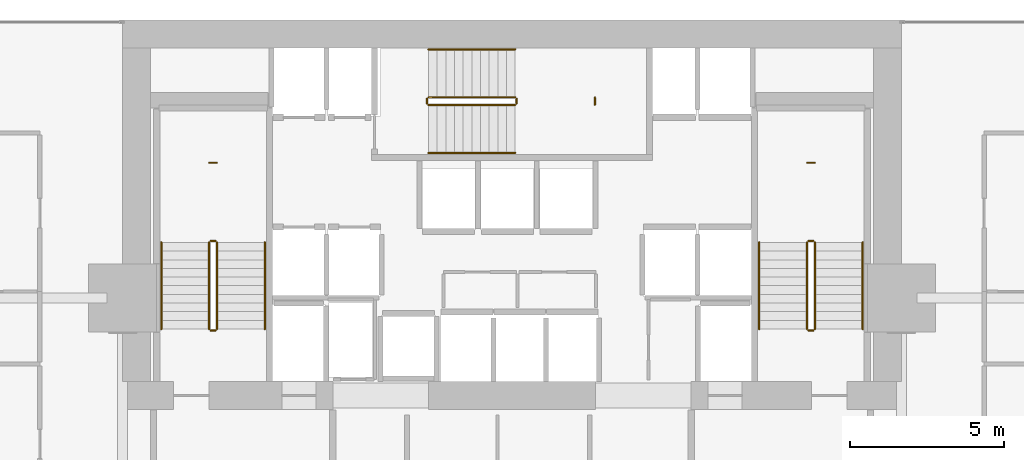
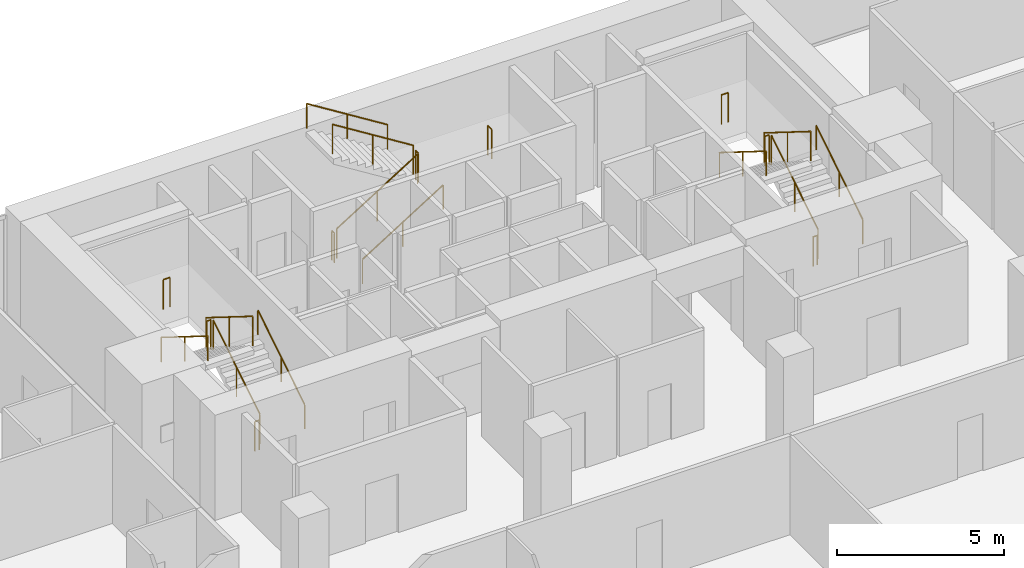
# One storey, part 40 of 40: 21 railings.
"""IFC4 building model written with IfcOpenShell, lengths in metres."""

from ifc_helpers import new_model, si_unit, direction, frame, origin, origin_2d, place, context, subcontext, project, spatial, circle, extrude, material, type_object, element, save


model = new_model("IFC4")

# Units and contexts
model_context = context("Model", 3, precision=1e-05, world=origin(), true_north=direction((0.0, 1.0)))
body_context = subcontext(model_context, "Body", "Model", "MODEL_VIEW")
ifc_project = project(units=[si_unit("LENGTHUNIT", "METRE"), si_unit("AREAUNIT", "SQUARE_METRE"), si_unit("VOLUMEUNIT", "CUBIC_METRE"), si_unit("PLANEANGLEUNIT", "RADIAN"), si_unit("MASSUNIT", "GRAM", prefix="KILO")], contexts=[model_context])

# Site, building, storey
site_placement = place(None, origin())
site = spatial("IfcSite", under=ifc_project, at=site_placement, CompositionType="ELEMENT")
building_placement = place(site_placement, origin())
building = spatial("IfcBuilding", under=site, at=building_placement, Name="Maruvema Waterfront Hotel and Observation Tower", CompositionType="ELEMENT")
storey_placement = place(building_placement, frame((0.0, 0.0, 50.050048828125)))
storey = spatial("IfcBuildingStorey", under=building, at=storey_placement, Name="L11", CompositionType="ELEMENT", Elevation=50.050048828125)

# Railings
ifc_material_1 = material(Name="Brushed stainless steel Grade 316", Category="steel")
railing_type_1 = type_object("IfcRailingType", Name="Ramp Continuous Wall Handrail 920 mm", PredefinedType="HANDRAIL", material=ifc_material_1)
railing_1_placement = place(storey_placement, frame((29.800048828125, 44.0, 0.175048828125)))
element("IfcRailing", 1, at=railing_1_placement, inside=storey, type_object=railing_type_1, Name="L11 ST-01 stair handrail 1", PredefinedType="HANDRAIL", context=body_context, shape_type="SweptSolid", body=[
    extrude(circle(Radius=0.02392578125, at=origin_2d()), frame((0.0, 0.0, 0.89599609375), z_axis=(0.0, 0.848002457836, 0.529992293815), x_axis=(-1.0, 0.0, 0.0)), (0.0, 0.0, 1.0), 3.302001953125),
    extrude(circle(Radius=0.02099609375, at=origin_2d()), origin(), (0.0, 0.0, 1.0), 0.871826171875),
    extrude(circle(Radius=0.02099609375, at=origin_2d()), frame((0.0, 1.39990234375, 0.875)), (0.0, 0.0, 1.0), 0.871826171875),
    extrude(circle(Radius=0.02099609375, at=origin_2d()), frame((0.0, 2.800048828125, 1.75)), (0.0, 0.0, 1.0), 0.871826171875),
])
railing_2_placement = place(storey_placement, frame((26.449951171875, 46.800048828125, 2.099853515625)))
element("IfcRailing", 2, at=railing_2_placement, inside=storey, type_object=railing_type_1, Name="L11 ST-01 stair handrail 2", PredefinedType="HANDRAIL", context=body_context, shape_type="SweptSolid", body=[
    extrude(circle(Radius=0.02392578125, at=origin_2d()), frame((0.0, 0.0, 0.89599609375), z_axis=(0.0, -0.848002457836, 0.529992293815), x_axis=(1.0, 0.0, 0.0)), (0.0, 0.0, 1.0), 3.302001953125),
    extrude(circle(Radius=0.02099609375, at=origin_2d()), origin(), (0.0, 0.0, 1.0), 0.871826171875),
    extrude(circle(Radius=0.02099609375, at=origin_2d()), frame((0.0, -1.39990234375, 0.875)), (0.0, 0.0, 1.0), 0.871826171875),
    extrude(circle(Radius=0.02099609375, at=origin_2d()), frame((0.0, -2.800048828125, 1.75)), (0.0, 0.0, 1.0), 0.871826171875),
])
railing_3_placement = place(storey_placement, frame((35.10009765625, 49.699951171875, 0.175048828125)))
element("IfcRailing", 3, at=railing_3_placement, inside=storey, type_object=railing_type_1, Name="L11 ST-02 stair handrail 1", PredefinedType="HANDRAIL", context=body_context, shape_type="SweptSolid", body=[
    extrude(circle(Radius=0.02392578125, at=origin_2d()), frame((0.0, 0.0, 0.89599609375), z_axis=(0.847981687118, 0.0, 0.530025526095), x_axis=(0.0, 1.0, 0.0)), (0.0, 0.0, 1.0), 3.3017578125),
    extrude(circle(Radius=0.02099609375, at=origin_2d()), origin(), (0.0, 0.0, 1.0), 0.871826171875),
    extrude(circle(Radius=0.02099609375, at=origin_2d()), frame((1.39990234375, 0.0, 0.875)), (0.0, 0.0, 1.0), 0.871826171875),
    extrude(circle(Radius=0.02099609375, at=origin_2d()), frame((2.7998046875, 0.0, 1.75)), (0.0, 0.0, 1.0), 0.871826171875),
])
railing_4_placement = place(storey_placement, frame((37.89990234375, 53.050048828125, 2.099853515625)))
element("IfcRailing", 4, at=railing_4_placement, inside=storey, type_object=railing_type_1, Name="L11 ST-02 stair handrail 2", PredefinedType="HANDRAIL", context=body_context, shape_type="SweptSolid", body=[
    extrude(circle(Radius=0.02392578125, at=origin_2d()), frame((0.0, 0.0, 0.89599609375), z_axis=(-0.847981687118, 0.0, 0.530025526095), x_axis=(0.0, -1.0, 0.0)), (0.0, 0.0, 1.0), 3.3017578125),
    extrude(circle(Radius=0.02099609375, at=origin_2d()), origin(), (0.0, 0.0, 1.0), 0.871826171875),
    extrude(circle(Radius=0.02099609375, at=origin_2d()), frame((-1.39990234375, 0.0, 0.875)), (0.0, 0.0, 1.0), 0.871826171875),
    extrude(circle(Radius=0.02099609375, at=origin_2d()), frame((-2.7998046875, 0.0, 1.75)), (0.0, 0.0, 1.0), 0.871826171875),
])
railing_5_placement = place(storey_placement, frame((49.14990234375, 44.0, 0.175048828125)))
element("IfcRailing", 5, at=railing_5_placement, inside=storey, type_object=railing_type_1, Name="L11 ST-03 stair handrail 1", PredefinedType="HANDRAIL", context=body_context, shape_type="SweptSolid", body=[
    extrude(circle(Radius=0.02392578125, at=origin_2d()), frame((0.0, 0.0, 0.89599609375), z_axis=(0.0, 0.848002457836, 0.529992293815), x_axis=(-1.0, 0.0, 0.0)), (0.0, 0.0, 1.0), 3.302001953125),
    extrude(circle(Radius=0.02099609375, at=origin_2d()), origin(), (0.0, 0.0, 1.0), 0.871826171875),
    extrude(circle(Radius=0.02099609375, at=origin_2d()), frame((0.0, 1.39990234375, 0.875)), (0.0, 0.0, 1.0), 0.871826171875),
    extrude(circle(Radius=0.02099609375, at=origin_2d()), frame((0.0, 2.800048828125, 1.75)), (0.0, 0.0, 1.0), 0.871826171875),
])
railing_6_placement = place(storey_placement, frame((45.800048828125, 46.800048828125, 2.099853515625)))
element("IfcRailing", 6, at=railing_6_placement, inside=storey, type_object=railing_type_1, Name="L11 ST-03 stair handrail 2", PredefinedType="HANDRAIL", context=body_context, shape_type="SweptSolid", body=[
    extrude(circle(Radius=0.02392578125, at=origin_2d()), frame((0.0, 0.0, 0.89599609375), z_axis=(0.0, -0.848002457836, 0.529992293815), x_axis=(1.0, 0.0, 0.0)), (0.0, 0.0, 1.0), 3.302001953125),
    extrude(circle(Radius=0.02099609375, at=origin_2d()), origin(), (0.0, 0.0, 1.0), 0.871826171875),
    extrude(circle(Radius=0.02099609375, at=origin_2d()), frame((0.0, -1.39990234375, 0.875)), (0.0, 0.0, 1.0), 0.871826171875),
    extrude(circle(Radius=0.02099609375, at=origin_2d()), frame((0.0, -2.800048828125, 1.75)), (0.0, 0.0, 1.0), 0.871826171875),
])
ifc_material_2 = material(Name="Brushed stainless steel Grade 316", Category="steel")
railing_type_2 = type_object("IfcRailingType", Name="Ramp and Terrace Guard Balustrade 1100 mm", PredefinedType="BALUSTRADE", material=ifc_material_2)
railing_7_placement = place(storey_placement, frame((28.25, 44.0, 0.175048828125)))
element("IfcRailing", 7, at=railing_7_placement, inside=storey, type_object=railing_type_2, Name="L11 ST-01 stair guard 1", PredefinedType="BALUSTRADE", context=body_context, shape_type="SweptSolid", body=[
    extrude(circle(Radius=0.02392578125, at=origin_2d()), frame((0.0, 0.0, 1.076171875), z_axis=(0.0, 0.848002457836, 0.529992293815), x_axis=(-1.0, 0.0, 0.0)), (0.0, 0.0, 1.0), 3.302001953125),
    extrude(circle(Radius=0.02099609375, at=origin_2d()), origin(), (0.0, 0.0, 1.0), 1.052001953125),
    extrude(circle(Radius=0.02099609375, at=origin_2d()), frame((0.0, 1.39990234375, 0.875)), (0.0, 0.0, 1.0), 1.052001953125),
    extrude(circle(Radius=0.02099609375, at=origin_2d()), frame((0.0, 2.800048828125, 1.75)), (0.0, 0.0, 1.0), 1.052001953125),
])
railing_8_placement = place(storey_placement, frame((28.199951171875, 46.85009765625, 1.925048828125)))
element("IfcRailing", 8, at=railing_8_placement, inside=storey, type_object=railing_type_2, Name="L11 ST-01 stair guard 2", PredefinedType="BALUSTRADE", context=body_context, shape_type="SweptSolid", body=[
    extrude(circle(Radius=0.02392578125, at=origin_2d()), frame((0.0, 0.0, 1.076171875), z_axis=(-1.0, 0.0, 0.0), x_axis=(0.0, -1.0, 0.0)), (0.0, 0.0, 1.0), 0.14990234375),
    extrude(circle(Radius=0.02099609375, at=origin_2d()), origin(), (0.0, 0.0, 1.0), 1.052001953125),
    extrude(circle(Radius=0.02099609375, at=origin_2d()), frame((-0.14990234375, 0.0, 0.0)), (0.0, 0.0, 1.0), 1.052001953125),
])
railing_9_placement = place(storey_placement, frame((28.0, 46.800048828125, 2.099853515625)))
element("IfcRailing", 9, at=railing_9_placement, inside=storey, type_object=railing_type_2, Name="L11 ST-01 stair guard 3", PredefinedType="BALUSTRADE", context=body_context, shape_type="SweptSolid", body=[
    extrude(circle(Radius=0.02392578125, at=origin_2d()), frame((0.0, 0.0, 1.076171875), z_axis=(0.0, -0.848002457836, 0.529992293815), x_axis=(1.0, 0.0, 0.0)), (0.0, 0.0, 1.0), 3.302001953125),
    extrude(circle(Radius=0.02099609375, at=origin_2d()), origin(), (0.0, 0.0, 1.0), 1.052001953125),
    extrude(circle(Radius=0.02099609375, at=origin_2d()), frame((0.0, -1.39990234375, 0.875)), (0.0, 0.0, 1.0), 1.052001953125),
    extrude(circle(Radius=0.02099609375, at=origin_2d()), frame((0.0, -2.800048828125, 1.75)), (0.0, 0.0, 1.0), 1.052001953125),
])
railing_10_placement = place(storey_placement, frame((28.199951171875, 43.949951171875, 0.0)))
element("IfcRailing", 10, at=railing_10_placement, inside=storey, type_object=railing_type_2, Name="L11 ST-01 stair guard 4", PredefinedType="BALUSTRADE", context=body_context, shape_type="SweptSolid", body=[
    extrude(circle(Radius=0.02392578125, at=origin_2d()), frame((0.0, 0.0, 1.076171875), z_axis=(-1.0, 0.0, 0.0), x_axis=(0.0, -1.0, 0.0)), (0.0, 0.0, 1.0), 0.14990234375),
    extrude(circle(Radius=0.02099609375, at=origin_2d()), origin(), (0.0, 0.0, 1.0), 1.052001953125),
    extrude(circle(Radius=0.02099609375, at=origin_2d()), frame((-0.14990234375, 0.0, 0.0)), (0.0, 0.0, 1.0), 1.052001953125),
])
railing_11_placement = place(storey_placement, frame((28.239990234375, 49.3798828125, 1.925048828125)))
element("IfcRailing", 11, at=railing_11_placement, inside=storey, type_object=railing_type_2, Name="L11 ST-01 Half-Landing Slot Guard", PredefinedType="BALUSTRADE", context=body_context, shape_type="SweptSolid", body=[
    extrude(circle(Radius=0.02392578125, at=origin_2d()), frame((0.0, 0.0, 1.076171875), z_axis=(-1.0, 0.0, 0.0), x_axis=(0.0, -1.0, 0.0)), (0.0, 0.0, 1.0), 0.22998046875),
    extrude(circle(Radius=0.02099609375, at=origin_2d()), origin(), (0.0, 0.0, 1.0), 1.052001953125),
    extrude(circle(Radius=0.02099609375, at=origin_2d()), frame((-0.22998046875, 0.0, 0.0)), (0.0, 0.0, 1.0), 1.052001953125),
])
railing_12_placement = place(storey_placement, frame((35.10009765625, 51.25, 0.175048828125)))
element("IfcRailing", 12, at=railing_12_placement, inside=storey, type_object=railing_type_2, Name="L11 ST-02 stair guard 1", PredefinedType="BALUSTRADE", context=body_context, shape_type="SweptSolid", body=[
    extrude(circle(Radius=0.02392578125, at=origin_2d()), frame((0.0, 0.0, 1.076171875), z_axis=(0.847981687118, 0.0, 0.530025526095), x_axis=(0.0, 1.0, 0.0)), (0.0, 0.0, 1.0), 3.3017578125),
    extrude(circle(Radius=0.02099609375, at=origin_2d()), origin(), (0.0, 0.0, 1.0), 1.052001953125),
    extrude(circle(Radius=0.02099609375, at=origin_2d()), frame((1.39990234375, 0.0, 0.875)), (0.0, 0.0, 1.0), 1.052001953125),
    extrude(circle(Radius=0.02099609375, at=origin_2d()), frame((2.7998046875, 0.0, 1.75)), (0.0, 0.0, 1.0), 1.052001953125),
])
railing_13_placement = place(storey_placement, frame((37.949951171875, 51.300048828125, 1.925048828125)))
element("IfcRailing", 13, at=railing_13_placement, inside=storey, type_object=railing_type_2, Name="L11 ST-02 stair guard 2", PredefinedType="BALUSTRADE", context=body_context, shape_type="SweptSolid", body=[
    extrude(circle(Radius=0.02392578125, at=origin_2d()), frame((0.0, 0.0, 1.076171875), z_axis=(0.0, 1.0, 0.0), x_axis=(-1.0, 0.0, 0.0)), (0.0, 0.0, 1.0), 0.14990234375),
    extrude(circle(Radius=0.02099609375, at=origin_2d()), origin(), (0.0, 0.0, 1.0), 1.052001953125),
    extrude(circle(Radius=0.02099609375, at=origin_2d()), frame((0.0, 0.14990234375, 0.0)), (0.0, 0.0, 1.0), 1.052001953125),
])
railing_14_placement = place(storey_placement, frame((37.89990234375, 51.5, 2.099853515625)))
element("IfcRailing", 14, at=railing_14_placement, inside=storey, type_object=railing_type_2, Name="L11 ST-02 stair guard 3", PredefinedType="BALUSTRADE", context=body_context, shape_type="SweptSolid", body=[
    extrude(circle(Radius=0.02392578125, at=origin_2d()), frame((0.0, 0.0, 1.076171875), z_axis=(-0.847981687118, 0.0, 0.530025526095), x_axis=(0.0, -1.0, 0.0)), (0.0, 0.0, 1.0), 3.3017578125),
    extrude(circle(Radius=0.02099609375, at=origin_2d()), origin(), (0.0, 0.0, 1.0), 1.052001953125),
    extrude(circle(Radius=0.02099609375, at=origin_2d()), frame((-1.39990234375, 0.0, 0.875)), (0.0, 0.0, 1.0), 1.052001953125),
    extrude(circle(Radius=0.02099609375, at=origin_2d()), frame((-2.7998046875, 0.0, 1.75)), (0.0, 0.0, 1.0), 1.052001953125),
])
railing_15_placement = place(storey_placement, frame((35.050048828125, 51.300048828125, 0.0)))
element("IfcRailing", 15, at=railing_15_placement, inside=storey, type_object=railing_type_2, Name="L11 ST-02 stair guard 4", PredefinedType="BALUSTRADE", context=body_context, shape_type="SweptSolid", body=[
    extrude(circle(Radius=0.02392578125, at=origin_2d()), frame((0.0, 0.0, 1.076171875), z_axis=(0.0, 1.0, 0.0), x_axis=(-1.0, 0.0, 0.0)), (0.0, 0.0, 1.0), 0.14990234375),
    extrude(circle(Radius=0.02099609375, at=origin_2d()), origin(), (0.0, 0.0, 1.0), 1.052001953125),
    extrude(circle(Radius=0.02099609375, at=origin_2d()), frame((0.0, 0.14990234375, 0.0)), (0.0, 0.0, 1.0), 1.052001953125),
])
railing_16_placement = place(storey_placement, frame((40.47998046875, 51.260009765625, 1.925048828125)))
element("IfcRailing", 16, at=railing_16_placement, inside=storey, type_object=railing_type_2, Name="L11 ST-02 Half-Landing Slot Guard", PredefinedType="BALUSTRADE", context=body_context, shape_type="SweptSolid", body=[
    extrude(circle(Radius=0.02392578125, at=origin_2d()), frame((0.0, 0.0, 1.076171875), z_axis=(0.0, 1.0, 0.0), x_axis=(-1.0, 0.0, 0.0)), (0.0, 0.0, 1.0), 0.22998046875),
    extrude(circle(Radius=0.02099609375, at=origin_2d()), origin(), (0.0, 0.0, 1.0), 1.052001953125),
    extrude(circle(Radius=0.02099609375, at=origin_2d()), frame((0.0, 0.22998046875, 0.0)), (0.0, 0.0, 1.0), 1.052001953125),
])
railing_17_placement = place(storey_placement, frame((47.60009765625, 44.0, 0.175048828125)))
element("IfcRailing", 17, at=railing_17_placement, inside=storey, type_object=railing_type_2, Name="L11 ST-03 stair guard 1", PredefinedType="BALUSTRADE", context=body_context, shape_type="SweptSolid", body=[
    extrude(circle(Radius=0.02392578125, at=origin_2d()), frame((0.0, 0.0, 1.076171875), z_axis=(0.0, 0.848002457836, 0.529992293815), x_axis=(-1.0, 0.0, 0.0)), (0.0, 0.0, 1.0), 3.302001953125),
    extrude(circle(Radius=0.02099609375, at=origin_2d()), origin(), (0.0, 0.0, 1.0), 1.052001953125),
    extrude(circle(Radius=0.02099609375, at=origin_2d()), frame((0.0, 1.39990234375, 0.875)), (0.0, 0.0, 1.0), 1.052001953125),
    extrude(circle(Radius=0.02099609375, at=origin_2d()), frame((0.0, 2.800048828125, 1.75)), (0.0, 0.0, 1.0), 1.052001953125),
])
railing_18_placement = place(storey_placement, frame((47.550048828125, 46.85009765625, 1.925048828125)))
element("IfcRailing", 18, at=railing_18_placement, inside=storey, type_object=railing_type_2, Name="L11 ST-03 stair guard 2", PredefinedType="BALUSTRADE", context=body_context, shape_type="SweptSolid", body=[
    extrude(circle(Radius=0.02392578125, at=origin_2d()), frame((0.0, 0.0, 1.076171875), z_axis=(-1.0, 0.0, 0.0), x_axis=(0.0, -1.0, 0.0)), (0.0, 0.0, 1.0), 0.150146484375),
    extrude(circle(Radius=0.02099609375, at=origin_2d()), origin(), (0.0, 0.0, 1.0), 1.052001953125),
    extrude(circle(Radius=0.02099609375, at=origin_2d()), frame((-0.150146484375, 0.0, 0.0)), (0.0, 0.0, 1.0), 1.052001953125),
])
railing_19_placement = place(storey_placement, frame((47.35009765625, 46.800048828125, 2.099853515625)))
element("IfcRailing", 19, at=railing_19_placement, inside=storey, type_object=railing_type_2, Name="L11 ST-03 stair guard 3", PredefinedType="BALUSTRADE", context=body_context, shape_type="SweptSolid", body=[
    extrude(circle(Radius=0.02392578125, at=origin_2d()), frame((0.0, 0.0, 1.076171875), z_axis=(0.0, -0.848002457836, 0.529992293815), x_axis=(1.0, 0.0, 0.0)), (0.0, 0.0, 1.0), 3.302001953125),
    extrude(circle(Radius=0.02099609375, at=origin_2d()), origin(), (0.0, 0.0, 1.0), 1.052001953125),
    extrude(circle(Radius=0.02099609375, at=origin_2d()), frame((0.0, -1.39990234375, 0.875)), (0.0, 0.0, 1.0), 1.052001953125),
    extrude(circle(Radius=0.02099609375, at=origin_2d()), frame((0.0, -2.800048828125, 1.75)), (0.0, 0.0, 1.0), 1.052001953125),
])
railing_20_placement = place(storey_placement, frame((47.550048828125, 43.949951171875, 0.0)))
element("IfcRailing", 20, at=railing_20_placement, inside=storey, type_object=railing_type_2, Name="L11 ST-03 stair guard 4", PredefinedType="BALUSTRADE", context=body_context, shape_type="SweptSolid", body=[
    extrude(circle(Radius=0.02392578125, at=origin_2d()), frame((0.0, 0.0, 1.076171875), z_axis=(-1.0, 0.0, 0.0), x_axis=(0.0, -1.0, 0.0)), (0.0, 0.0, 1.0), 0.150146484375),
    extrude(circle(Radius=0.02099609375, at=origin_2d()), origin(), (0.0, 0.0, 1.0), 1.052001953125),
    extrude(circle(Radius=0.02099609375, at=origin_2d()), frame((-0.150146484375, 0.0, 0.0)), (0.0, 0.0, 1.0), 1.052001953125),
])
railing_21_placement = place(storey_placement, frame((47.590087890625, 49.3798828125, 1.925048828125)))
element("IfcRailing", 21, at=railing_21_placement, inside=storey, type_object=railing_type_2, Name="L11 ST-03 Half-Landing Slot Guard", PredefinedType="BALUSTRADE", context=body_context, shape_type="SweptSolid", body=[
    extrude(circle(Radius=0.02392578125, at=origin_2d()), frame((0.0, 0.0, 1.076171875), z_axis=(-1.0, 0.0, 0.0), x_axis=(0.0, -1.0, 0.0)), (0.0, 0.0, 1.0), 0.22998046875),
    extrude(circle(Radius=0.02099609375, at=origin_2d()), origin(), (0.0, 0.0, 1.0), 1.052001953125),
    extrude(circle(Radius=0.02099609375, at=origin_2d()), frame((-0.22998046875, 0.0, 0.0)), (0.0, 0.0, 1.0), 1.052001953125),
])

save(model, "model.ifc")
